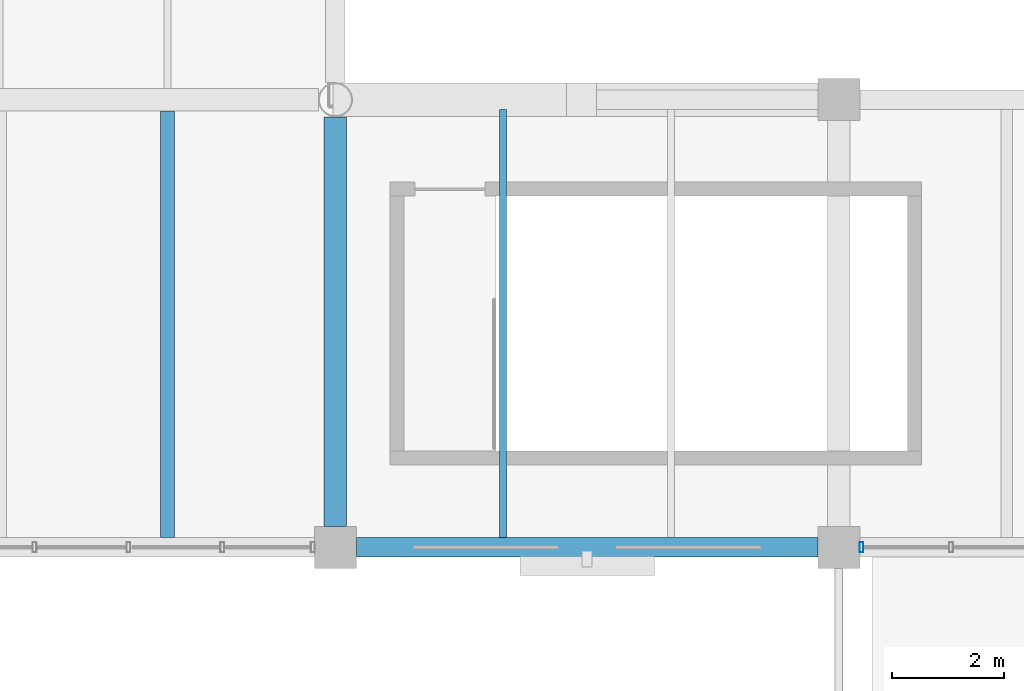
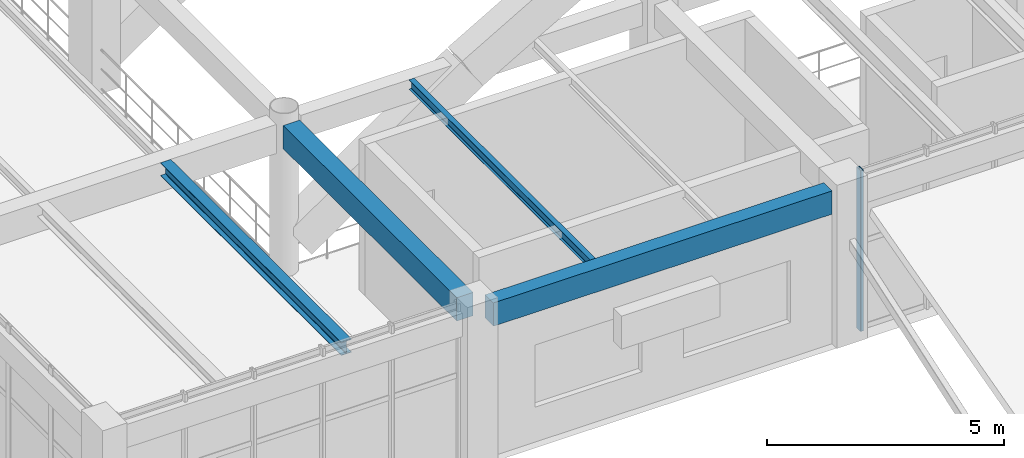
# One storey, part 26 of 148: 4 beams, 1 member, 1 element without a shape of its own.
"""IFC4 building model written with IfcOpenShell, lengths in metres."""

from ifc_helpers import new_model, si_unit, derived_unit, direction, frame, origin, origin_2d, place, context, subcontext, project, spatial, rectangle, hollow_rectangle, i_section, extrude, material, material_profile, profile_set, type_object, element, aggregate, save


model = new_model("IFC4")

# Units and contexts
model_context = context("Model", 3, precision=1e-05, world=origin(), true_north=direction((0.0, 1.0)))
body_context = subcontext(model_context, "Body", "Model", "MODEL_VIEW")
ifc_project = project(units=[si_unit("LENGTHUNIT", "METRE"), si_unit("AREAUNIT", "SQUARE_METRE"), si_unit("VOLUMEUNIT", "CUBIC_METRE"), si_unit("PLANEANGLEUNIT", "RADIAN"), si_unit("MASSUNIT", "GRAM", prefix="KILO"), derived_unit("THERMALTRANSMITTANCEUNIT", [(si_unit("MASSUNIT", "GRAM", prefix="KILO"), 1), (si_unit("TIMEUNIT", "SECOND"), -3), (si_unit("THERMODYNAMICTEMPERATUREUNIT", "KELVIN"), -1)])], contexts=[model_context])

# Site, building, storey
site_placement = place(None, origin())
site = spatial("IfcSite", under=ifc_project, at=site_placement, CompositionType="ELEMENT")
building_placement = place(site_placement, origin())
building = spatial("IfcBuilding", under=site, at=building_placement, Name="Zhenchuan Archway Interchange", CompositionType="ELEMENT")
storey_placement = place(building_placement, frame((0.0, 0.0, 10.199951171875)))
storey = spatial("IfcBuildingStorey", under=building, at=storey_placement, Name="L02", CompositionType="ELEMENT", Elevation=10.199951171875)

# Beam
ifc_material_1 = material(Name="Concrete C40", Category="concrete")
ifc_material_profile_1 = material_profile(ifc_material_1, rectangle(XDim=0.39990234375, YDim=0.60009765625, at=origin_2d()), Name="RC 400x600")
ifc_profile_set_1 = profile_set([ifc_material_profile_1], Name="Concrete C40")
beam_type_1 = type_object("IfcBeamType", Name="BM_RC_400x600", PredefinedType="BEAM", material=ifc_profile_set_1)
beam_1_placement = place(storey_placement, frame((36.0, 24.375, 3.64013671875), z_axis=(0.0, 1.0, 0.0), x_axis=(-1.0, 0.0, 0.0)))
element("IfcBeam", 1, at=beam_1_placement, inside=storey, type_object=beam_type_1, Name="Beam 5:D-E (L02)", PredefinedType="BEAM", context=body_context, shape_type="SweptSolid", body=[
    extrude(rectangle(XDim=0.39990234375, YDim=0.60009765625, at=origin_2d()), origin(), (0.0, 0.0, 1.0), 7.320068359375),
])

# Curtain wall, member
ifc_material_2 = material(Name="Anodised Aluminium", Category="aluminium")
curtain_wall_type = type_object("IfcCurtainWallType", Name="CW_UNIT_1", PredefinedType="NOTDEFINED", material=ifc_material_2)
curtain_wall_placement = place(storey_placement, origin())
curtain_wall = element("IfcCurtainWall", 2, at=curtain_wall_placement, inside=storey, type_object=curtain_wall_type, Name="Unitised curtain wall CW:L02:124", PredefinedType="NOTDEFINED")
ifc_material_profile_2 = material_profile(ifc_material_2, hollow_rectangle(XDim=0.070068359375, YDim=0.179931640625, WallThickness=0.00390625, InnerFilletRadius=0.00390625, OuterFilletRadius=0.008056640625, at=origin_2d()), Name="ALU 180x70x4")
ifc_profile_set_2 = profile_set([ifc_material_profile_2], Name="Anodised Aluminium")
member_type = type_object("IfcMemberType", Name="CW_MUL_180", PredefinedType="MULLION", material=ifc_profile_set_2)
member_placement = place(storey_placement, frame((45.403076171875, 24.0, 0.0), z_axis=(0.0, 0.0, 1.0), x_axis=(1.0, 0.0, 0.0)))
member = element("IfcMember", 3, at=member_placement, type_object=member_type, Name="CW:L02:124 mullion 5", PredefinedType="MULLION", context=body_context, shape_type="SweptSolid", body=[
    extrude(hollow_rectangle(XDim=0.070068359375, YDim=0.179931640625, WallThickness=0.00390625, InnerFilletRadius=0.00390625, OuterFilletRadius=0.008056640625, at=origin_2d()), origin(), (0.0, 0.0, 1.0), 4.14013671875),
])
aggregate(curtain_wall, [member])

# Beams
ifc_material_3 = material(Name="Steel Q355", Category="steel")
ifc_material_profile_3 = material_profile(ifc_material_3, i_section(OverallWidth=0.25, OverallDepth=0.340087890625, WebThickness=0.009033203125, FlangeThickness=0.013916015625, FilletRadius=0.01806640625, at=origin_2d()), Name="HM 340x250")
ifc_profile_set_3 = profile_set([ifc_material_profile_3], Name="Steel Q355")
beam_type_2 = type_object("IfcBeamType", Name="JST_STL_HM340", PredefinedType="JOIST", material=ifc_profile_set_3)
beam_2_placement = place(storey_placement, frame((33.0, 24.175048828125, 3.77001953125), z_axis=(0.0, 1.0, 0.0), x_axis=(-1.0, 0.0, 0.0)))
element("IfcBeam", 4, at=beam_2_placement, inside=storey, type_object=beam_type_2, Name="Secondary joist 4-5/D-E #2 (L02)", PredefinedType="JOIST", context=body_context, shape_type="SweptSolid", body=[
    extrude(i_section(OverallWidth=0.25, OverallDepth=0.340087890625, WebThickness=0.009033203125, FlangeThickness=0.013916015625, FilletRadius=0.01806640625, at=origin_2d()), origin(), (0.0, 0.0, 1.0), 7.625),
])
ifc_material_profile_4 = material_profile(ifc_material_3, i_section(OverallWidth=0.125, OverallDepth=0.25, WebThickness=0.006103515625, FlangeThickness=0.009033203125, FilletRadius=0.011962890625, at=origin_2d()), Name="HN 250x125")
ifc_profile_set_4 = profile_set([ifc_material_profile_4], Name="Steel Q355")
beam_type_3 = type_object("IfcBeamType", Name="JST_STL_HN250", PredefinedType="JOIST", material=ifc_profile_set_4)
beam_3_placement = place(storey_placement, frame((39.0, 24.175048828125, 3.81494140625), z_axis=(0.0, 1.0, 0.0), x_axis=(-1.0, 0.0, 0.0)))
element("IfcBeam", 5, at=beam_3_placement, inside=storey, type_object=beam_type_3, Name="Secondary joist 5-6/D-E #1 (L02)", PredefinedType="JOIST", context=body_context, shape_type="SweptSolid", body=[
    extrude(i_section(OverallWidth=0.125, OverallDepth=0.25, WebThickness=0.006103515625, FlangeThickness=0.009033203125, FilletRadius=0.011962890625, at=origin_2d()), origin(), (0.0, 0.0, 1.0), 7.64990234375),
])
ifc_material_profile_5 = material_profile(ifc_material_1, rectangle(XDim=0.35009765625, YDim=0.60009765625, at=origin_2d()), Name="RC 350x600")
ifc_profile_set_5 = profile_set([ifc_material_profile_5], Name="Concrete C40")
beam_type_4 = type_object("IfcBeamType", Name="SP_RC_350x600", PredefinedType="SPANDREL", material=ifc_profile_set_5)
beam_4_placement = place(storey_placement, frame((36.375, 24.0, 3.64013671875), z_axis=(1.0, 0.0, 0.0), x_axis=(0.0, 1.0, 0.0)))
element("IfcBeam", 6, at=beam_4_placement, inside=storey, type_object=beam_type_4, Name="Beam D:5-6 (L02)", PredefinedType="SPANDREL", context=body_context, shape_type="SweptSolid", body=[
    extrude(rectangle(XDim=0.35009765625, YDim=0.60009765625, at=origin_2d()), origin(), (0.0, 0.0, 1.0), 8.25),
])

save(model, "model.ifc")
